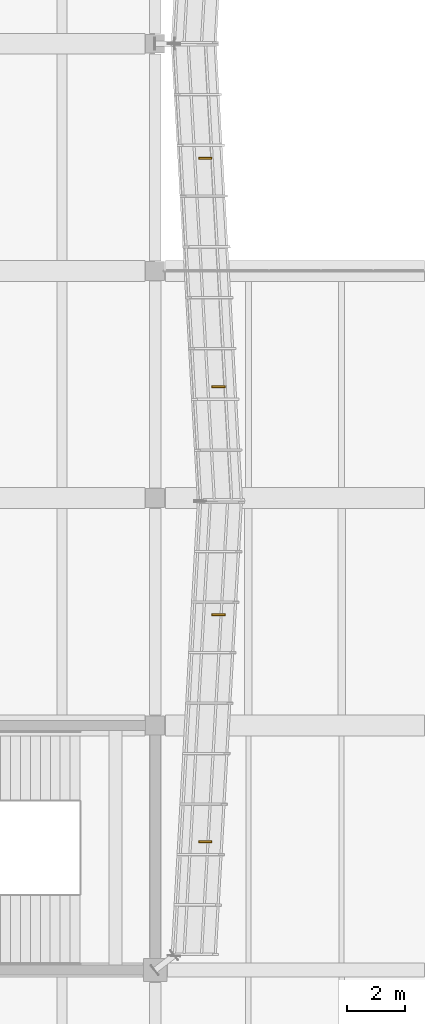
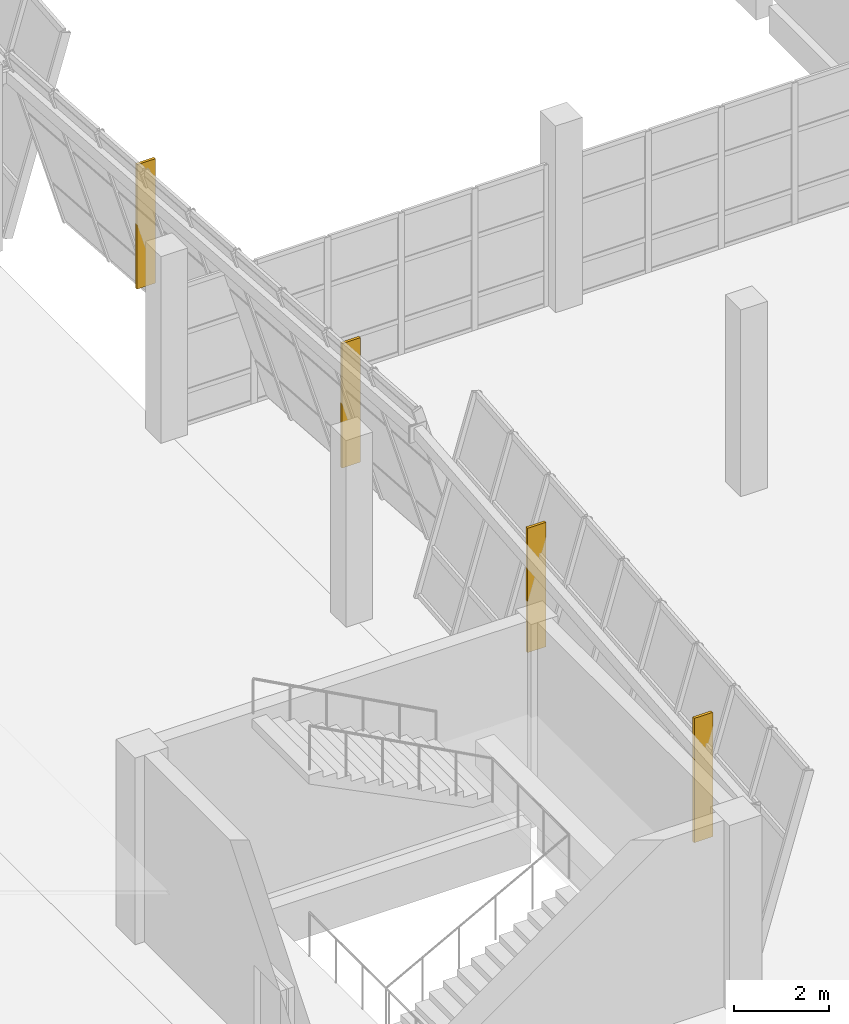
# One storey, part 75 of 79: 4 shading devices.
"""IFC4 building model written with IfcOpenShell, lengths in metres."""

from ifc_helpers import new_model, si_unit, direction, frame, origin, origin_2d, place, context, subcontext, project, spatial, rectangle, extrude, material, type_object, element, save


model = new_model("IFC4")

# Units and contexts
model_context = context("Model", 3, precision=1e-05, world=origin(), true_north=direction((0.0, 1.0)))
body_context = subcontext(model_context, "Body", "Model", "MODEL_VIEW")
ifc_project = project(units=[si_unit("LENGTHUNIT", "METRE"), si_unit("AREAUNIT", "SQUARE_METRE"), si_unit("VOLUMEUNIT", "CUBIC_METRE"), si_unit("PLANEANGLEUNIT", "RADIAN"), si_unit("MASSUNIT", "GRAM", prefix="KILO")], contexts=[model_context])

# Site, building, storey
site_placement = place(None, origin())
site = spatial("IfcSite", under=ifc_project, at=site_placement, CompositionType="ELEMENT")
building_placement = place(site_placement, origin())
building = spatial("IfcBuilding", under=site, at=building_placement, Name="Pellamere Symphony Hall", CompositionType="ELEMENT")
storey_placement = place(building_placement, frame((0.0, 0.0, 10.199951171875)))
storey = spatial("IfcBuildingStorey", under=building, at=storey_placement, Name="L02", CompositionType="ELEMENT", Elevation=10.199951171875)

# Shading devices
ifc_material = material(Name="Champagne-Anodised Extruded Aluminium 6063-T6", Category="aluminium")
shading_device_type = type_object("IfcShadingDeviceType", Name="Exterior Shading SD-01 65x450", PredefinedType="SHUTTER", material=ifc_material)
for number, where, z_axis, x_axis, name in (
    (1, (120.52587890625, 34.39990234375, 0.80029296875), (0.0, 0.0, 1.0), (0.0, 1.0, 0.0), "Crystal Acoustic Sunshade Fin CW-CR06 (L02)"),
    (2, (120.975830078125, 42.199951171875, 0.80029296875), (0.0, 0.0, 1.0), (0.0, 1.0, 0.0), "Crystal Acoustic Sunshade Fin CW-CR06 (L02)"),
    (3, (120.975830078125, 50.02490234375, 0.80029296875), (0.0, 0.0, 1.0), (0.0, 1.0, 0.0), "Crystal Acoustic Sunshade Fin CW-CR07 (L02)"),
    (4, (120.52587890625, 57.875, 0.80029296875), (0.0, 0.0, 1.0), (0.0, 1.0, 0.0), "Crystal Acoustic Sunshade Fin CW-CR07 (L02)"),
):
    element("IfcShadingDevice", number, at=place(storey_placement, frame(where, z_axis=z_axis, x_axis=x_axis)), inside=storey, type_object=shading_device_type, Name=name, PredefinedType="SHUTTER", context=body_context, shape_type="SweptSolid", body=[
        extrude(rectangle(XDim=0.06494140625, YDim=0.449951171875, at=origin_2d()), origin(), (0.0, 0.0, 1.0), 3.199951171875),
    ])

save(model, "model.ifc")
